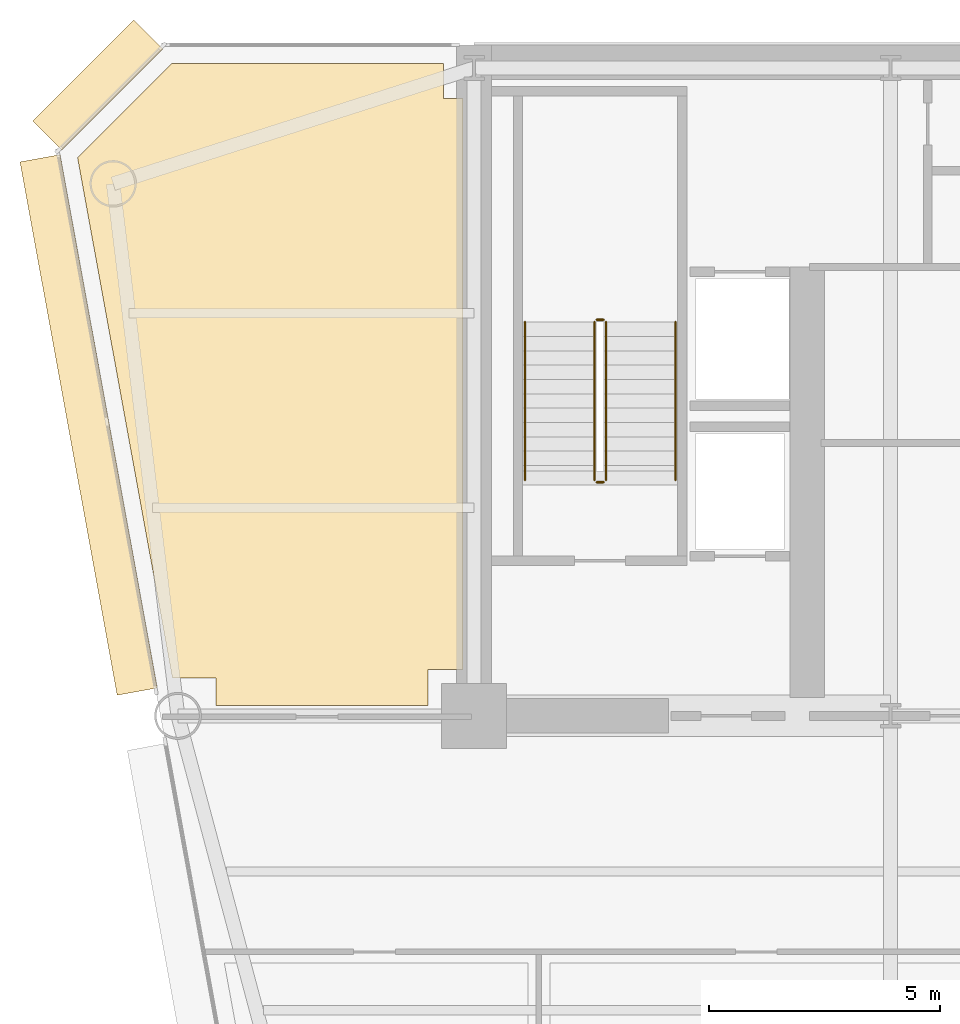
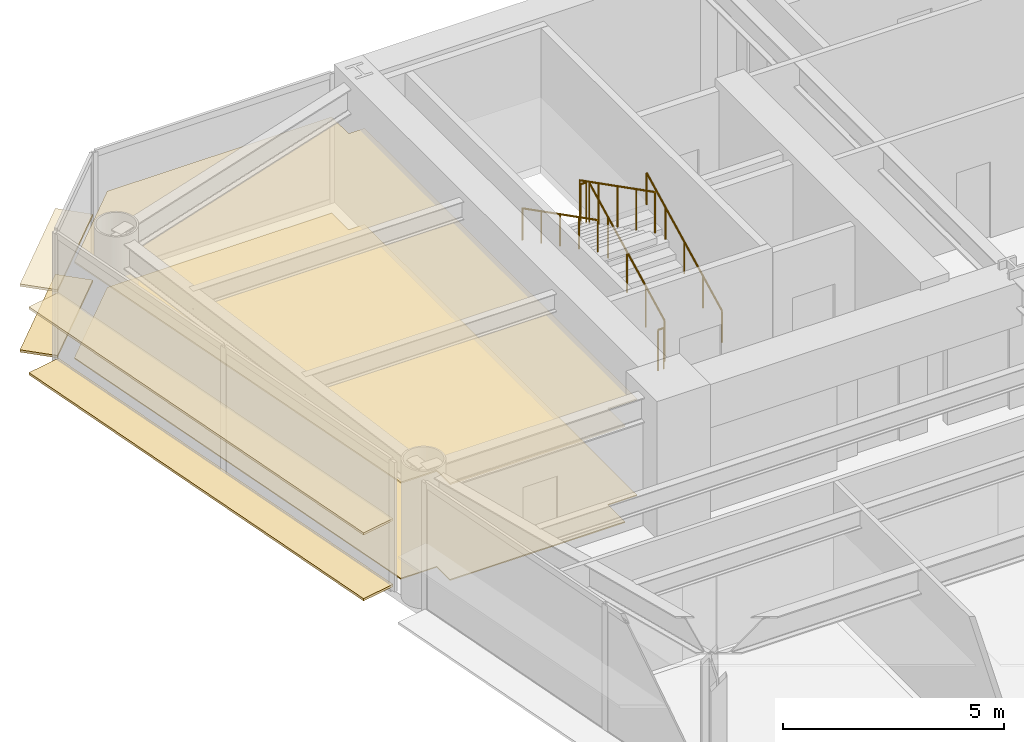
# One storey, part 12 of 14: 6 coverings, 6 railings.
"""IFC4 building model written with IfcOpenShell, lengths in metres."""

from ifc_helpers import new_model, si_unit, direction, frame, origin, origin_2d, place, context, subcontext, project, spatial, polyline, rectangle, circle, outline, extrude, source, transform, mapped, material, layer, layer_set, type_object, element, save


model = new_model("IFC4")

# Units and contexts
model_context = context("Model", 3, precision=1e-05, world=origin(), true_north=direction((0.0, 1.0)))
body_context = subcontext(model_context, "Body", "Model", "MODEL_VIEW")
ifc_project = project(units=[si_unit("LENGTHUNIT", "METRE"), si_unit("AREAUNIT", "SQUARE_METRE"), si_unit("VOLUMEUNIT", "CUBIC_METRE"), si_unit("PLANEANGLEUNIT", "RADIAN"), si_unit("MASSUNIT", "GRAM", prefix="KILO")], contexts=[model_context])

# Site, building, storey
site_placement = place(None, origin())
site = spatial("IfcSite", under=ifc_project, at=site_placement, CompositionType="ELEMENT")
building_placement = place(site_placement, origin())
building = spatial("IfcBuilding", under=site, at=building_placement, Name="Vaeldorn Concourse Tower", CompositionType="ELEMENT")
storey_placement = place(building_placement, frame((0.0, 0.0, 107.199951171875)))
storey = spatial("IfcBuildingStorey", under=building, at=storey_placement, Name="L27", CompositionType="ELEMENT", Elevation=107.199951171875)

# Coverings
ifc_material_1 = material(Name="Acoustic Mineral Fibre Board", Category="gypsum")
ifc_layer_1 = layer(ifc_material_1, 0.0400390625)
ifc_layer_set_1 = layer_set([ifc_layer_1], Name="Acoustic Mineral Fibre Board")
covering_type_1 = type_object("IfcCoveringType", Name="COV-CEIL-ACOUSTIC", PredefinedType="CEILING", material=ifc_layer_set_1)
covering_1_placement = place(storey_placement, frame((0.0, 0.0, 2.650146484375)))
element("IfcCovering", 1, at=covering_1_placement, inside=storey, type_object=covering_type_1, Name="Suspended Acoustic Ceiling L27-3", PredefinedType="CEILING", context=body_context, shape_type="SweptSolid", body=[
    extrude(outline(polyline([(7.4658203125, 50.60009765625), (13.340087890625, 50.60009765625), (13.340087890625, 49.840087890625), (13.760009765625, 49.840087890625), (13.760009765625, 37.5), (13.0, 37.5), (13.0, 36.719970703125), (8.419921875, 36.719970703125), (8.419921875, 37.320068359375), (7.480712890625, 37.320068359375), (5.43115234375, 48.5654296875), (7.4658203125, 50.60009765625)])), origin(), (0.0, 0.0, 1.0), 0.039794921875),
])
ifc_material_2 = material(Name="Honed Limestone Terrazzo Flooring", Category="masonry")
ifc_layer_2 = layer(ifc_material_2, 0.0400390625)
ifc_layer_set_2 = layer_set([ifc_layer_2], Name="Honed Limestone Terrazzo Flooring")
covering_type_2 = type_object("IfcCoveringType", Name="COV-FLOOR-STONE", PredefinedType="FLOORING", material=ifc_layer_set_2)
covering_2_placement = place(storey_placement, origin())
element("IfcCovering", 2, at=covering_2_placement, inside=storey, type_object=covering_type_2, Name="Floor Finish Covering L27-3", PredefinedType="FLOORING", context=body_context, shape_type="SweptSolid", body=[
    extrude(outline(polyline([(7.4658203125, 50.60009765625), (13.340087890625, 50.60009765625), (13.340087890625, 49.840087890625), (13.760009765625, 49.840087890625), (13.760009765625, 37.5), (13.0, 37.5), (13.0, 36.719970703125), (8.419921875, 36.719970703125), (8.419921875, 37.320068359375), (7.480712890625, 37.320068359375), (5.43115234375, 48.5654296875), (7.4658203125, 50.60009765625)])), origin(), (0.0, 0.0, 1.0), 0.030029296875),
])

# Railings
ifc_material_3 = material(Name="Anodised Bronze Aluminium", Category="aluminium")
railing_type_1 = type_object("IfcRailingType", Name="RL-STAIR-GUARD", PredefinedType="GUARDRAIL", material=ifc_material_3)
railing_1_placement = place(storey_placement, frame((16.85009765625, 41.60009765625, 0.158447265625)))
element("IfcRailing", 3, at=railing_1_placement, inside=storey, type_object=railing_type_1, Name="L27 ST-1 stair guard 1", PredefinedType="GUARDRAIL", context=body_context, shape_type="SweptSolid", body=[
    extrude(circle(Radius=0.02392578125, at=origin_2d()), frame((0.0, 0.0, 1.1259765625), z_axis=(0.0, 0.890555807335, 0.454873997962), x_axis=(-1.0, 0.0, 0.0)), (0.0, 0.0, 1.0), 3.828857421875),
    extrude(circle(Radius=0.02099609375, at=origin_2d()), origin(), (0.0, 0.0, 1.0), 1.101806640625),
    extrude(circle(Radius=0.02099609375, at=origin_2d()), frame((0.0, 0.8525390625, 0.435546875)), (0.0, 0.0, 1.0), 1.101806640625),
    extrude(circle(Radius=0.02099609375, at=origin_2d()), frame((0.0, 1.705078125, 0.870849609375)), (0.0, 0.0, 1.0), 1.101806640625),
    extrude(circle(Radius=0.02099609375, at=origin_2d()), frame((0.0, 2.557373046875, 1.30615234375)), (0.0, 0.0, 1.0), 1.101806640625),
    extrude(circle(Radius=0.02099609375, at=origin_2d()), frame((0.0, 3.409912109375, 1.74169921875)), (0.0, 0.0, 1.0), 1.101806640625),
])
railing_2_placement = place(storey_placement, frame((16.800048828125, 45.06005859375, 1.900146484375)))
element("IfcRailing", 4, at=railing_2_placement, inside=storey, type_object=railing_type_1, Name="L27 ST-1 stair guard 2", PredefinedType="GUARDRAIL", context=body_context, shape_type="SweptSolid", body=[
    extrude(circle(Radius=0.02392578125, at=origin_2d()), frame((0.0, 0.0, 1.1259765625), z_axis=(-1.0, 0.0, 0.0), x_axis=(0.0, -1.0, 0.0)), (0.0, 0.0, 1.0), 0.150146484375),
    extrude(circle(Radius=0.02099609375, at=origin_2d()), origin(), (0.0, 0.0, 1.0), 1.101806640625),
    extrude(circle(Radius=0.02099609375, at=origin_2d()), frame((-0.150146484375, 0.0, 0.0)), (0.0, 0.0, 1.0), 1.101806640625),
])
railing_3_placement = place(storey_placement, frame((16.60009765625, 45.010009765625, 2.058349609375)))
element("IfcRailing", 5, at=railing_3_placement, inside=storey, type_object=railing_type_1, Name="L27 ST-1 stair guard 3", PredefinedType="GUARDRAIL", context=body_context, shape_type="SweptSolid", body=[
    extrude(circle(Radius=0.02392578125, at=origin_2d()), frame((0.0, 0.0, 1.1259765625), z_axis=(0.0, -0.890555807335, 0.454873997962), x_axis=(1.0, 0.0, 0.0)), (0.0, 0.0, 1.0), 3.828857421875),
    extrude(circle(Radius=0.02099609375, at=origin_2d()), origin(), (0.0, 0.0, 1.0), 1.101806640625),
    extrude(circle(Radius=0.02099609375, at=origin_2d()), frame((0.0, -0.8525390625, 0.435546875)), (0.0, 0.0, 1.0), 1.101806640625),
    extrude(circle(Radius=0.02099609375, at=origin_2d()), frame((0.0, -1.705078125, 0.870849609375)), (0.0, 0.0, 1.0), 1.101806640625),
    extrude(circle(Radius=0.02099609375, at=origin_2d()), frame((0.0, -2.557373046875, 1.30615234375)), (0.0, 0.0, 1.0), 1.101806640625),
    extrude(circle(Radius=0.02099609375, at=origin_2d()), frame((0.0, -3.409912109375, 1.74169921875)), (0.0, 0.0, 1.0), 1.101806640625),
])
railing_4_placement = place(storey_placement, frame((16.800048828125, 41.550048828125, 0.0)))
element("IfcRailing", 6, at=railing_4_placement, inside=storey, type_object=railing_type_1, Name="L27 ST-1 stair guard 4", PredefinedType="GUARDRAIL", context=body_context, shape_type="SweptSolid", body=[
    extrude(circle(Radius=0.02392578125, at=origin_2d()), frame((0.0, 0.0, 1.1259765625), z_axis=(-1.0, 0.0, 0.0), x_axis=(0.0, -1.0, 0.0)), (0.0, 0.0, 1.0), 0.150146484375),
    extrude(circle(Radius=0.02099609375, at=origin_2d()), origin(), (0.0, 0.0, 1.0), 1.101806640625),
    extrude(circle(Radius=0.02099609375, at=origin_2d()), frame((-0.150146484375, 0.0, 0.0)), (0.0, 0.0, 1.0), 1.101806640625),
])
railing_type_2 = type_object("IfcRailingType", Name="RL-STAIR-HANDRAIL", PredefinedType="HANDRAIL", material=ifc_material_3)
railing_5_placement = place(storey_placement, frame((18.35009765625, 41.60009765625, 0.158447265625)))
element("IfcRailing", 7, at=railing_5_placement, inside=storey, type_object=railing_type_2, Name="L27 ST-1 stair handrail 1", PredefinedType="HANDRAIL", context=body_context, shape_type="SweptSolid", body=[
    extrude(circle(Radius=0.02392578125, at=origin_2d()), frame((0.0, 0.0, 0.8759765625), z_axis=(0.0, 0.890555807335, 0.454873997962), x_axis=(-1.0, 0.0, 0.0)), (0.0, 0.0, 1.0), 3.828857421875),
    extrude(circle(Radius=0.02099609375, at=origin_2d()), origin(), (0.0, 0.0, 1.0), 0.851806640625),
    extrude(circle(Radius=0.02099609375, at=origin_2d()), frame((0.0, 0.8525390625, 0.435546875)), (0.0, 0.0, 1.0), 0.851806640625),
    extrude(circle(Radius=0.02099609375, at=origin_2d()), frame((0.0, 1.705078125, 0.870849609375)), (0.0, 0.0, 1.0), 0.851806640625),
    extrude(circle(Radius=0.02099609375, at=origin_2d()), frame((0.0, 2.557373046875, 1.30615234375)), (0.0, 0.0, 1.0), 0.851806640625),
    extrude(circle(Radius=0.02099609375, at=origin_2d()), frame((0.0, 3.409912109375, 1.74169921875)), (0.0, 0.0, 1.0), 0.851806640625),
])
railing_6_placement = place(storey_placement, frame((15.10009765625, 45.010009765625, 2.058349609375)))
element("IfcRailing", 8, at=railing_6_placement, inside=storey, type_object=railing_type_2, Name="L27 ST-1 stair handrail 2", PredefinedType="HANDRAIL", context=body_context, shape_type="SweptSolid", body=[
    extrude(circle(Radius=0.02392578125, at=origin_2d()), frame((0.0, 0.0, 0.8759765625), z_axis=(0.0, -0.890555807335, 0.454873997962), x_axis=(1.0, 0.0, 0.0)), (0.0, 0.0, 1.0), 3.828857421875),
    extrude(circle(Radius=0.02099609375, at=origin_2d()), origin(), (0.0, 0.0, 1.0), 0.851806640625),
    extrude(circle(Radius=0.02099609375, at=origin_2d()), frame((0.0, -0.8525390625, 0.435546875)), (0.0, 0.0, 1.0), 0.851806640625),
    extrude(circle(Radius=0.02099609375, at=origin_2d()), frame((0.0, -1.705078125, 0.870849609375)), (0.0, 0.0, 1.0), 0.851806640625),
    extrude(circle(Radius=0.02099609375, at=origin_2d()), frame((0.0, -2.557373046875, 1.30615234375)), (0.0, 0.0, 1.0), 0.851806640625),
    extrude(circle(Radius=0.02099609375, at=origin_2d()), frame((0.0, -3.409912109375, 1.74169921875)), (0.0, 0.0, 1.0), 0.851806640625),
])

# Coverings
ifc_layer_3 = layer(ifc_material_3, 0.06494140625)
ifc_layer_set_3 = layer_set([ifc_layer_3], Name="Anodised Bronze Aluminium")
covering_type_3 = type_object("IfcCoveringType", Name="SD-BRONZE-SUNSHADE", PredefinedType="USERDEFINED", material=ifc_layer_set_3)
shared_shape_1 = source(origin(), body_context, "Body", "SweptSolid", [
    extrude(rectangle(XDim=3.0927734375, YDim=0.8798828125, at=origin_2d()), origin(), (0.0, 0.0, 1.0), 0.06494140625),
])
for number, where, z_axis, x_axis, name in (
    (9, (5.8671875, 50.1328125, 0.047607421875), (0.0, 0.0, 1.0), (-0.707106781187, -0.707106781187, 0.0), "Horizontal Bronze Sunshade L27-E10.1.1"),
    (10, (5.8671875, 50.1328125, 1.86767578125), (0.0, 0.0, 1.0), (-0.707106781187, -0.707106781187, 0.0), "Horizontal Bronze Sunshade L27-E10.1.2"),
):
    element("IfcCovering", number, at=place(storey_placement, frame(where, z_axis=z_axis, x_axis=x_axis)), inside=storey, type_object=covering_type_3, Name=name, ObjectType="SUNSHADE", PredefinedType="USERDEFINED", context=body_context, shape_type="MappedRepresentation", body=[
        mapped(shared_shape_1, transform((0.0, 0.0, 0.0), scale=1.0)),
    ])
shared_shape_2 = source(origin(), body_context, "Body", "SweptSolid", [
    extrude(rectangle(XDim=11.71435546875, YDim=0.8798828125, at=origin_2d()), origin(), (0.0, 0.0, 1.0), 0.06494140625),
])
for number, where, z_axis, x_axis, name in (
    (11, (5.6708984375, 42.787353515625, 0.047607421875), (0.0, 0.0, 1.0), (0.17930018116, -0.983794411976, 0.0), "Horizontal Bronze Sunshade L27-E11.1.1"),
    (12, (5.6708984375, 42.787353515625, 1.86767578125), (0.0, 0.0, 1.0), (0.17930018116, -0.983794411976, 0.0), "Horizontal Bronze Sunshade L27-E11.1.2"),
):
    element("IfcCovering", number, at=place(storey_placement, frame(where, z_axis=z_axis, x_axis=x_axis)), inside=storey, type_object=covering_type_3, Name=name, ObjectType="SUNSHADE", PredefinedType="USERDEFINED", context=body_context, shape_type="MappedRepresentation", body=[
        mapped(shared_shape_2, transform((0.0, 0.0, 0.0), scale=1.0)),
    ])

save(model, "model.ifc")
